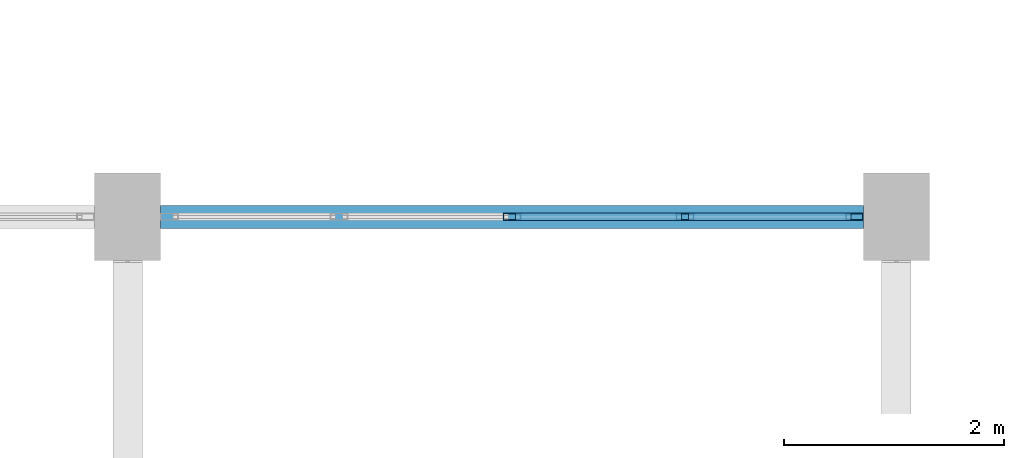
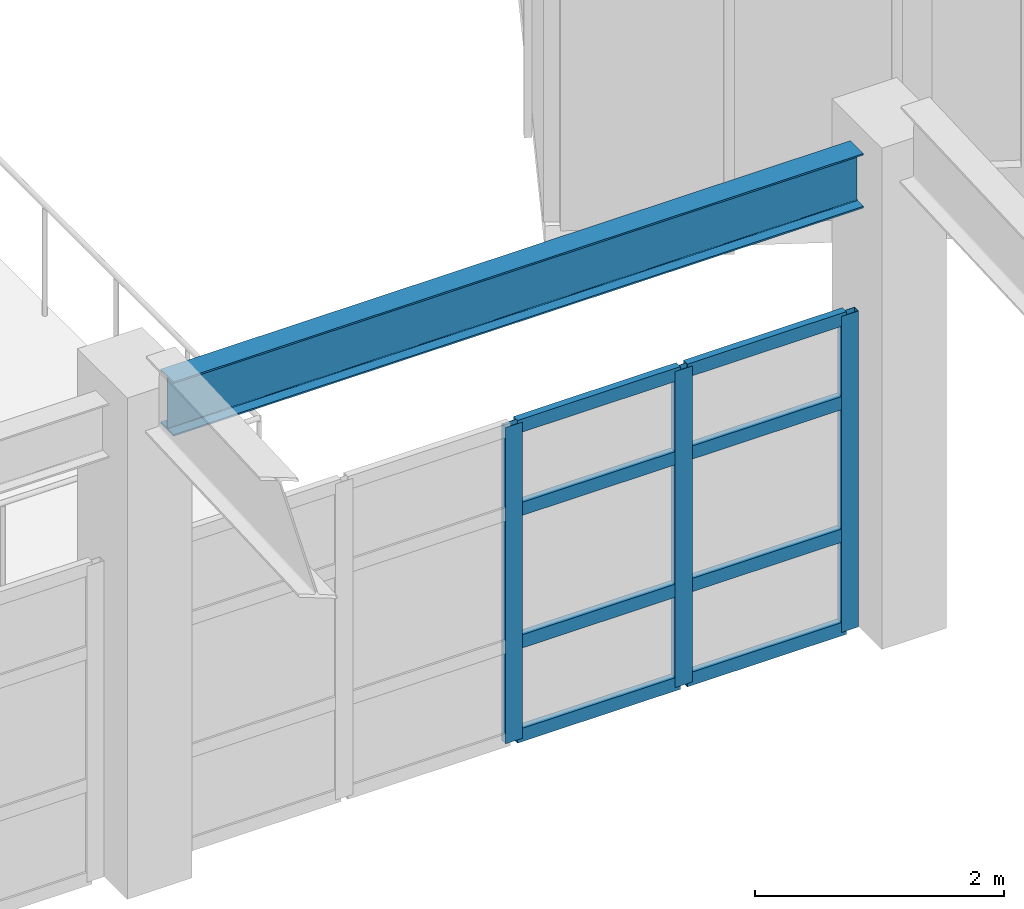
# One storey, part 17 of 150: 11 members, 1 beam, 1 element without a shape of its own.
"""IFC4 building model written with IfcOpenShell, lengths in metres."""

from ifc_helpers import new_model, si_unit, direction, frame, origin, origin_2d, place, context, subcontext, project, spatial, hollow_rectangle, i_section, extrude, material, material_profile, profile_set, type_object, element, aggregate, save


model = new_model("IFC4")

# Units and contexts
model_context = context("Model", 3, precision=1e-05, world=origin(), true_north=direction((0.0, 1.0)))
body_context = subcontext(model_context, "Body", "Model", "MODEL_VIEW")
ifc_project = project(units=[si_unit("LENGTHUNIT", "METRE"), si_unit("AREAUNIT", "SQUARE_METRE"), si_unit("VOLUMEUNIT", "CUBIC_METRE"), si_unit("PLANEANGLEUNIT", "RADIAN"), si_unit("MASSUNIT", "GRAM", prefix="KILO")], contexts=[model_context])

# Site, building, storey
site_placement = place(None, origin())
site = spatial("IfcSite", under=ifc_project, at=site_placement, CompositionType="ELEMENT")
building_placement = place(site_placement, origin())
building = spatial("IfcBuilding", under=site, at=building_placement, Name="Kestramere Prow Commons", CompositionType="ELEMENT")
storey_placement = place(building_placement, frame((0.0, 0.0, 4.5)))
storey = spatial("IfcBuildingStorey", under=building, at=storey_placement, Name="L01", CompositionType="ELEMENT", Elevation=4.5)

# Beam
ifc_material_1 = material(Name="Steel S355JR", Category="steel")
ifc_material_profile_1 = material_profile(ifc_material_1, i_section(OverallWidth=0.209228515625, OverallDepth=0.533203125, WebThickness=0.010009765625, FlangeThickness=0.015625, FilletRadius=0.0126953125, at=origin_2d()), Name="UB 533x210x92")
ifc_profile_set_1 = profile_set([ifc_material_profile_1], Name="Steel S355JR")
beam_type = type_object("IfcBeamType", Name="BM-HL-GAL UB 533x210x92 (EX)", PredefinedType="BEAM", material=ifc_profile_set_1)
beam_placement = place(storey_placement, frame((44.5, 43.5, 4.418701171875), z_axis=(1.0, 0.0, 0.0), x_axis=(0.0, 1.0, 0.0)))
element("IfcBeam", 1, at=beam_placement, inside=storey, type_object=beam_type, Name="Hall Roof Eave Tie Girder 7N", PredefinedType="BEAM", context=body_context, shape_type="SweptSolid", body=[
    extrude(i_section(OverallWidth=0.209228515625, OverallDepth=0.533203125, WebThickness=0.010009765625, FlangeThickness=0.015625, FilletRadius=0.0126953125, at=origin_2d()), origin(), (0.0, 0.0, 1.0), 6.39990234375),
])

# Curtain wall, members
ifc_material_2 = material(Name="Anodised Aluminium and Low-E Glass", Category="aluminium")
curtain_wall_type = type_object("IfcCurtainWallType", Name="CW-12 Glazed Curtain Wall 6300x3100", PredefinedType="USERDEFINED", material=ifc_material_2)
curtain_wall_placement = place(storey_placement, origin())
curtain_wall = element("IfcCurtainWall", 2, at=curtain_wall_placement, inside=storey, type_object=curtain_wall_type, Name="Hall North Clerestory Curtain Wall L01-7", ObjectType="GLAZED CURTAIN WALL", PredefinedType="USERDEFINED")
ifc_material_3 = material(Name="Anodised Aluminium 6063-T6", Category="aluminium")
ifc_material_profile_2 = material_profile(ifc_material_3, hollow_rectangle(XDim=0.06494140625, YDim=0.159912109375, WallThickness=0.00390625, at=origin_2d()), Name="ALU-MUL 65x160")
ifc_profile_set_2 = profile_set([ifc_material_profile_2], Name="Anodised Aluminium 6063-T6")
member_type_1 = type_object("IfcMemberType", Name="CW-MUL-65x160", PredefinedType="MULLION", material=ifc_profile_set_2)
member_1_placement = place(storey_placement, frame((47.699951171875, 43.5, 0.0), z_axis=(0.0, 0.0, 1.0), x_axis=(0.0, 1.0, 0.0)))
member_1 = element("IfcMember", 3, at=member_1_placement, type_object=member_type_1, Name="CW-12 mullion 3", PredefinedType="MULLION", context=body_context, shape_type="SweptSolid", body=[
    extrude(hollow_rectangle(XDim=0.06494140625, YDim=0.159912109375, WallThickness=0.00390625, at=origin_2d()), origin(), (0.0, 0.0, 1.0), 3.10009765625),
])
member_2_placement = place(storey_placement, frame((49.27490234375, 43.5, 0.0), z_axis=(0.0, 0.0, 1.0), x_axis=(0.0, 1.0, 0.0)))
member_2 = element("IfcMember", 4, at=member_2_placement, type_object=member_type_1, Name="CW-12 mullion 4", PredefinedType="MULLION", context=body_context, shape_type="SweptSolid", body=[
    extrude(hollow_rectangle(XDim=0.06494140625, YDim=0.159912109375, WallThickness=0.00390625, at=origin_2d()), origin(), (0.0, 0.0, 1.0), 3.10009765625),
])
member_3_placement = place(storey_placement, frame((50.8173828125, 43.5, 0.0), z_axis=(0.0, 0.0, 1.0), x_axis=(0.0, 1.0, 0.0)))
member_3 = element("IfcMember", 5, at=member_3_placement, type_object=member_type_1, Name="CW-12 mullion 5", PredefinedType="MULLION", context=body_context, shape_type="SweptSolid", body=[
    extrude(hollow_rectangle(XDim=0.06494140625, YDim=0.159912109375, WallThickness=0.00390625, at=origin_2d()), origin(), (0.0, 0.0, 1.0), 3.10009765625),
])
ifc_material_profile_3 = material_profile(ifc_material_3, hollow_rectangle(XDim=0.06494140625, YDim=0.1298828125, WallThickness=0.00390625, at=origin_2d()), Name="ALU-TRN 65x130")
ifc_profile_set_3 = profile_set([ifc_material_profile_3], Name="Anodised Aluminium 6063-T6")
member_type_2 = type_object("IfcMemberType", Name="CW-TRN-65x130", PredefinedType="USERDEFINED", material=ifc_profile_set_3)
member_4_placement = place(storey_placement, frame((47.732421875, 43.5, 0.032470703125), z_axis=(1.0, 0.0, 0.0), x_axis=(0.0, 1.0, 0.0)))
member_4 = element("IfcMember", 6, at=member_4_placement, type_object=member_type_2, Name="CW-12 transom 3.1", ObjectType="TRANSOM", PredefinedType="USERDEFINED", context=body_context, shape_type="SweptSolid", body=[
    extrude(hollow_rectangle(XDim=0.06494140625, YDim=0.1298828125, WallThickness=0.00390625, at=origin_2d()), origin(), (0.0, 0.0, 1.0), 1.510009765625),
])
member_5_placement = place(storey_placement, frame((47.732421875, 43.5, 0.949951171875), z_axis=(1.0, 0.0, 0.0), x_axis=(0.0, 1.0, 0.0)))
member_5 = element("IfcMember", 7, at=member_5_placement, type_object=member_type_2, Name="CW-12 transom 3.2", ObjectType="TRANSOM", PredefinedType="USERDEFINED", context=body_context, shape_type="SweptSolid", body=[
    extrude(hollow_rectangle(XDim=0.06494140625, YDim=0.1298828125, WallThickness=0.00390625, at=origin_2d()), origin(), (0.0, 0.0, 1.0), 1.510009765625),
])
member_6_placement = place(storey_placement, frame((47.732421875, 43.5, 2.25), z_axis=(1.0, 0.0, 0.0), x_axis=(0.0, 1.0, 0.0)))
member_6 = element("IfcMember", 8, at=member_6_placement, type_object=member_type_2, Name="CW-12 transom 3.3", ObjectType="TRANSOM", PredefinedType="USERDEFINED", context=body_context, shape_type="SweptSolid", body=[
    extrude(hollow_rectangle(XDim=0.06494140625, YDim=0.1298828125, WallThickness=0.00390625, at=origin_2d()), origin(), (0.0, 0.0, 1.0), 1.510009765625),
])
member_7_placement = place(storey_placement, frame((47.732421875, 43.5, 3.0673828125), z_axis=(1.0, 0.0, 0.0), x_axis=(0.0, 1.0, 0.0)))
member_7 = element("IfcMember", 9, at=member_7_placement, type_object=member_type_2, Name="CW-12 transom 3.4", ObjectType="TRANSOM", PredefinedType="USERDEFINED", context=body_context, shape_type="SweptSolid", body=[
    extrude(hollow_rectangle(XDim=0.06494140625, YDim=0.1298828125, WallThickness=0.00390625, at=origin_2d()), origin(), (0.0, 0.0, 1.0), 1.510009765625),
])
member_8_placement = place(storey_placement, frame((49.3076171875, 43.5, 0.032470703125), z_axis=(1.0, 0.0, 0.0), x_axis=(0.0, 1.0, 0.0)))
member_8 = element("IfcMember", 10, at=member_8_placement, type_object=member_type_2, Name="CW-12 transom 4.1", ObjectType="TRANSOM", PredefinedType="USERDEFINED", context=body_context, shape_type="SweptSolid", body=[
    extrude(hollow_rectangle(XDim=0.06494140625, YDim=0.1298828125, WallThickness=0.00390625, at=origin_2d()), origin(), (0.0, 0.0, 1.0), 1.477294921875),
])
member_9_placement = place(storey_placement, frame((49.3076171875, 43.5, 0.949951171875), z_axis=(1.0, 0.0, 0.0), x_axis=(0.0, 1.0, 0.0)))
member_9 = element("IfcMember", 11, at=member_9_placement, type_object=member_type_2, Name="CW-12 transom 4.2", ObjectType="TRANSOM", PredefinedType="USERDEFINED", context=body_context, shape_type="SweptSolid", body=[
    extrude(hollow_rectangle(XDim=0.06494140625, YDim=0.1298828125, WallThickness=0.00390625, at=origin_2d()), origin(), (0.0, 0.0, 1.0), 1.477294921875),
])
member_10_placement = place(storey_placement, frame((49.3076171875, 43.5, 2.25), z_axis=(1.0, 0.0, 0.0), x_axis=(0.0, 1.0, 0.0)))
member_10 = element("IfcMember", 12, at=member_10_placement, type_object=member_type_2, Name="CW-12 transom 4.3", ObjectType="TRANSOM", PredefinedType="USERDEFINED", context=body_context, shape_type="SweptSolid", body=[
    extrude(hollow_rectangle(XDim=0.06494140625, YDim=0.1298828125, WallThickness=0.00390625, at=origin_2d()), origin(), (0.0, 0.0, 1.0), 1.477294921875),
])
member_11_placement = place(storey_placement, frame((49.3076171875, 43.5, 3.0673828125), z_axis=(1.0, 0.0, 0.0), x_axis=(0.0, 1.0, 0.0)))
member_11 = element("IfcMember", 13, at=member_11_placement, type_object=member_type_2, Name="CW-12 transom 4.4", ObjectType="TRANSOM", PredefinedType="USERDEFINED", context=body_context, shape_type="SweptSolid", body=[
    extrude(hollow_rectangle(XDim=0.06494140625, YDim=0.1298828125, WallThickness=0.00390625, at=origin_2d()), origin(), (0.0, 0.0, 1.0), 1.477294921875),
])
aggregate(curtain_wall, [member_1, member_2, member_3, member_4, member_5, member_6, member_7, member_8, member_9, member_10, member_11])

save(model, "model.ifc")
